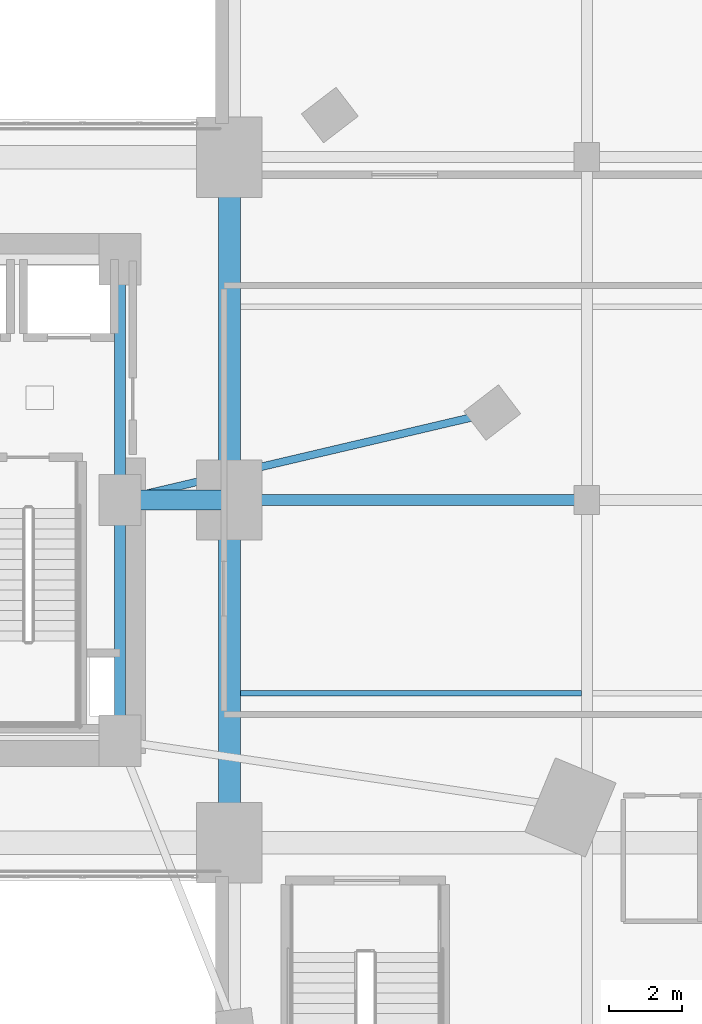
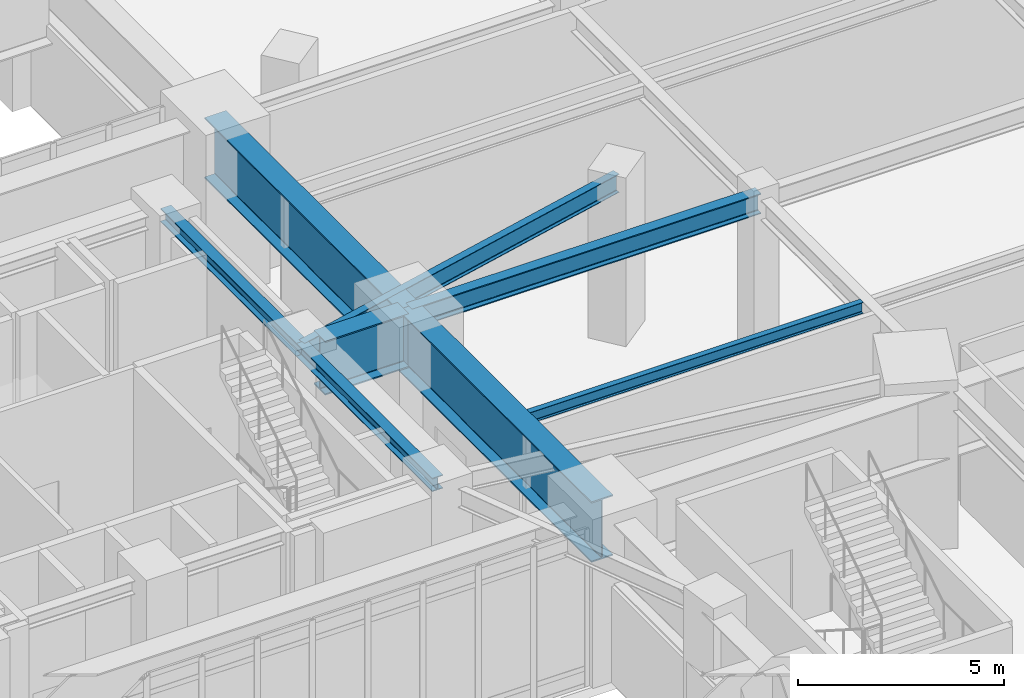
# One storey, part 13 of 25: 8 beams.
"""IFC4 building model written with IfcOpenShell, lengths in metres."""

from ifc_helpers import new_model, si_unit, direction, frame, origin, origin_2d, place, context, subcontext, project, spatial, i_section, extrude, material, material_profile, profile_set, type_object, element, save


model = new_model("IFC4")

# Units and contexts
model_context = context("Model", 3, precision=1e-05, world=origin(), true_north=direction((0.0, 1.0)))
body_context = subcontext(model_context, "Body", "Model", "MODEL_VIEW")
ifc_project = project(units=[si_unit("LENGTHUNIT", "METRE"), si_unit("AREAUNIT", "SQUARE_METRE"), si_unit("VOLUMEUNIT", "CUBIC_METRE"), si_unit("PLANEANGLEUNIT", "RADIAN"), si_unit("MASSUNIT", "GRAM", prefix="KILO")], contexts=[model_context])

# Site, building, storey
site_placement = place(None, origin())
site = spatial("IfcSite", under=ifc_project, at=site_placement, CompositionType="ELEMENT")
building_placement = place(site_placement, origin())
building = spatial("IfcBuilding", under=site, at=building_placement, Name="Ndelora Gate Hotel", CompositionType="ELEMENT")
storey_placement = place(building_placement, frame((0.0, 0.0, 11.0)))
storey = spatial("IfcBuildingStorey", under=building, at=storey_placement, Name="L02", CompositionType="ELEMENT", Elevation=11.0)

# Beams
ifc_material_1 = material(Name="Steel S355", Category="steel")
ifc_material_profile_1 = material_profile(ifc_material_1, i_section(OverallWidth=0.300048828125, OverallDepth=0.39990234375, WebThickness=0.013427734375, FlangeThickness=0.02392578125, FilletRadius=0.027099609375, at=origin_2d()), Name="HEB 400")
ifc_profile_set_1 = profile_set([ifc_material_profile_1], Name="Steel S355")
beam_type_1 = type_object("IfcBeamType", Name="BM-CORE-400", PredefinedType="BEAM", material=ifc_profile_set_1)
for number, where, z_axis, x_axis, name in (
    (1, (8.0, -6.60009765625, 4.4599609375), (0.0, 1.0, 0.0), (-1.0, 0.0, 0.0), "L02 Core Tie Girder CC3-CC4"),
    (2, (8.0, 0.0, 4.4599609375), (0.0, 1.0, 0.0), (-1.0, 0.0, 0.0), "L02 Core Tie Girder CC4-CC5"),
):
    element("IfcBeam", number, at=place(storey_placement, frame(where, z_axis=z_axis, x_axis=x_axis)), inside=storey, type_object=beam_type_1, Name=name, PredefinedType="BEAM", context=body_context, shape_type="SweptSolid", body=[
        extrude(i_section(OverallWidth=0.300048828125, OverallDepth=0.39990234375, WebThickness=0.013427734375, FlangeThickness=0.02392578125, FilletRadius=0.027099609375, at=origin_2d()), origin(), (0.0, 0.0, 1.0), 6.60009765625),
    ])
ifc_material_profile_2 = material_profile(ifc_material_1, i_section(OverallWidth=0.159912109375, OverallDepth=0.330078125, WebThickness=0.007568359375, FlangeThickness=0.011474609375, FilletRadius=0.01806640625, at=origin_2d()), Name="IPE 330")
ifc_profile_set_2 = profile_set([ifc_material_profile_2], Name="Steel S355")
beam_type_2 = type_object("IfcBeamType", Name="BM-JST-330", PredefinedType="JOIST", material=ifc_profile_set_2)
beam_1_placement = place(storey_placement, frame((11.300048828125, -5.300048828125, 4.4951171875), z_axis=(1.0, 0.0, 0.0), x_axis=(0.0, 1.0, 0.0)))
element("IfcBeam", 3, at=beam_1_placement, inside=storey, type_object=beam_type_2, Name="L02 Podium Composite Secondary Joist 5", PredefinedType="JOIST", context=body_context, shape_type="SweptSolid", body=[
    extrude(i_section(OverallWidth=0.159912109375, OverallDepth=0.330078125, WebThickness=0.007568359375, FlangeThickness=0.011474609375, FilletRadius=0.01806640625, at=origin_2d()), origin(), (0.0, 0.0, 1.0), 9.349853515625),
])
ifc_material_profile_3 = material_profile(ifc_material_1, i_section(OverallWidth=0.300048828125, OverallDepth=0.60009765625, WebThickness=0.015380859375, FlangeThickness=0.030029296875, FilletRadius=0.027099609375, at=origin_2d()), Name="HEB 600")
ifc_profile_set_3 = profile_set([ifc_material_profile_3], Name="Steel S355")
beam_type_3 = type_object("IfcBeamType", Name="BM-POD-600", PredefinedType="BEAM", material=ifc_profile_set_3)
beam_2_placement = place(storey_placement, frame((11.0, 0.0, 4.360107421875), z_axis=(1.0, 0.0, 0.0), x_axis=(0.0, 1.0, 0.0)))
element("IfcBeam", 4, at=beam_2_placement, inside=storey, type_object=beam_type_3, Name="L02 Podium Transverse Girder Y=+0.0", PredefinedType="BEAM", context=body_context, shape_type="SweptSolid", body=[
    extrude(i_section(OverallWidth=0.300048828125, OverallDepth=0.60009765625, WebThickness=0.015380859375, FlangeThickness=0.030029296875, FilletRadius=0.027099609375, at=origin_2d()), origin(), (0.0, 0.0, 1.0), 9.800048828125),
])
ifc_material_profile_4 = material_profile(ifc_material_1, i_section(OverallWidth=0.2099609375, OverallDepth=0.550048828125, WebThickness=0.010986328125, FlangeThickness=0.01708984375, FilletRadius=0.02392578125, at=origin_2d()), Name="IPE 550")
ifc_profile_set_4 = profile_set([ifc_material_profile_4], Name="Steel S355")
beam_type_4 = type_object("IfcBeamType", Name="BM-RAD-550", PredefinedType="BEAM", material=ifc_profile_set_4)
beam_3_placement = place(storey_placement, frame((8.0, 0.0, 4.385009765625), z_axis=(0.973517848051, 0.22861102232, 0.0), x_axis=(-0.22861102232, 0.973517848051, 0.0)))
element("IfcBeam", 5, at=beam_3_placement, inside=storey, type_object=beam_type_4, Name="L02 Tower Root Radial Tie Beam 10", PredefinedType="BEAM", context=body_context, shape_type="SweptSolid", body=[
    extrude(i_section(OverallWidth=0.2099609375, OverallDepth=0.550048828125, WebThickness=0.010986328125, FlangeThickness=0.01708984375, FilletRadius=0.02392578125, at=origin_2d()), origin(), (0.0, 0.0, 1.0), 10.48486328125),
])
ifc_material_2 = material(Name="Steel S460", Category="steel")
ifc_material_profile_5 = material_profile(ifc_material_2, i_section(OverallWidth=0.550048828125, OverallDepth=1.60009765625, WebThickness=0.02587890625, FlangeThickness=0.0380859375, FilletRadius=0.02392578125, at=origin_2d()), Name="PG 1600x550x38")
ifc_profile_set_5 = profile_set([ifc_material_profile_5], Name="Steel S460")
beam_type_5 = type_object("IfcBeamType", Name="BM-TR-1600", PredefinedType="BEAM", material=ifc_profile_set_5)
beam_4_placement = place(storey_placement, frame((8.5, 0.0, 3.860107421875), z_axis=(1.0, 0.0, 0.0), x_axis=(0.0, 1.0, 0.0)))
element("IfcBeam", 6, at=beam_4_placement, inside=storey, type_object=beam_type_5, Name="L02 structural beam TG-2", PredefinedType="BEAM", context=body_context, shape_type="SweptSolid", body=[
    extrude(i_section(OverallWidth=0.550048828125, OverallDepth=1.60009765625, WebThickness=0.02587890625, FlangeThickness=0.0380859375, FilletRadius=0.02392578125, at=origin_2d()), origin(), (0.0, 0.0, 1.0), 2.35009765625),
])
ifc_material_profile_6 = material_profile(ifc_material_2, i_section(OverallWidth=0.60009765625, OverallDepth=1.800048828125, WebThickness=0.028076171875, FlangeThickness=0.0400390625, FilletRadius=0.02392578125, at=origin_2d()), Name="PG 1800x600x40")
ifc_profile_set_6 = profile_set([ifc_material_profile_6], Name="Steel S460")
beam_type_6 = type_object("IfcBeamType", Name="BM-TR-1800", PredefinedType="BEAM", material=ifc_profile_set_6)
for number, where, z_axis, x_axis, name in (
    (7, (11.0, -9.39990234375, 3.760009765625), (0.0, 1.0, 0.0), (-1.0, 0.0, 0.0), "L02 Podium Longitudinal Girder X=+11.0"),
    (8, (11.0, 0.0, 3.760009765625), (0.0, 1.0, 0.0), (-1.0, 0.0, 0.0), "L02 Podium Longitudinal Girder X=+11.0"),
):
    element("IfcBeam", number, at=place(storey_placement, frame(where, z_axis=z_axis, x_axis=x_axis)), inside=storey, type_object=beam_type_6, Name=name, PredefinedType="BEAM", context=body_context, shape_type="SweptSolid", body=[
        extrude(i_section(OverallWidth=0.60009765625, OverallDepth=1.800048828125, WebThickness=0.028076171875, FlangeThickness=0.0400390625, FilletRadius=0.02392578125, at=origin_2d()), origin(), (0.0, 0.0, 1.0), 9.39990234375),
    ])

save(model, "model.ifc")
